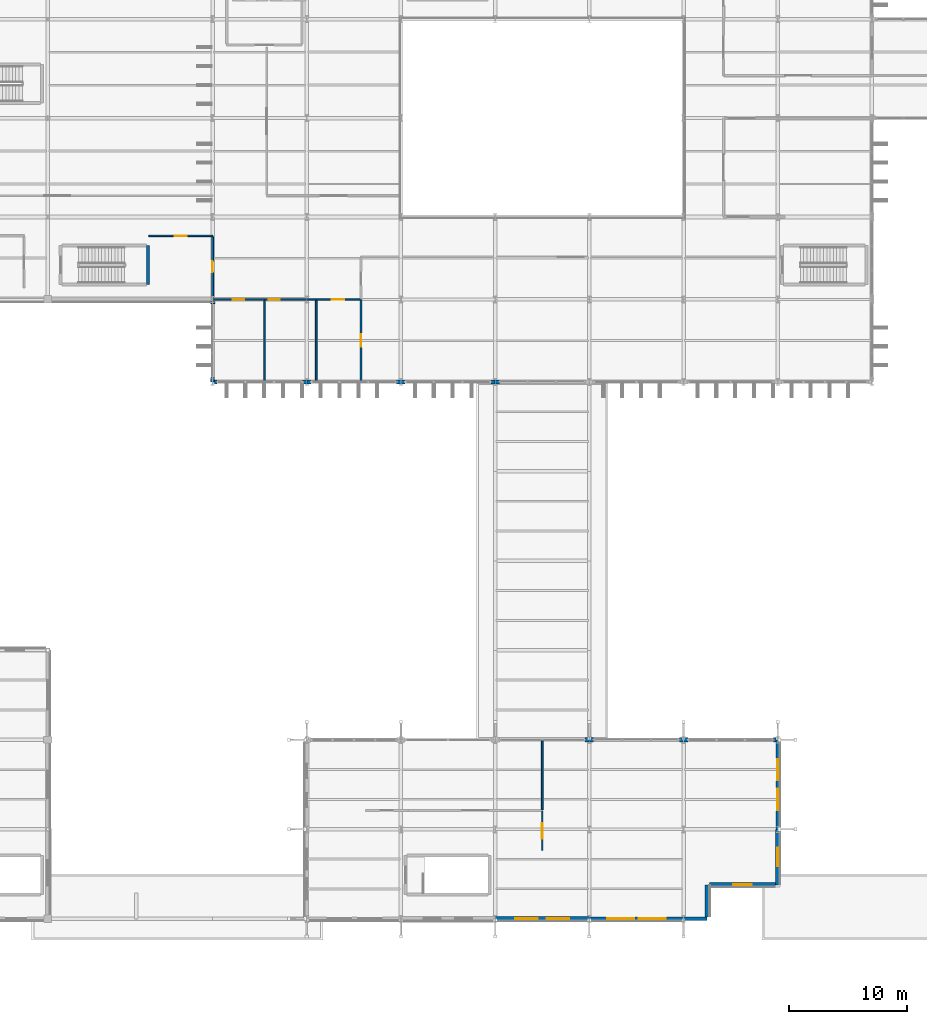
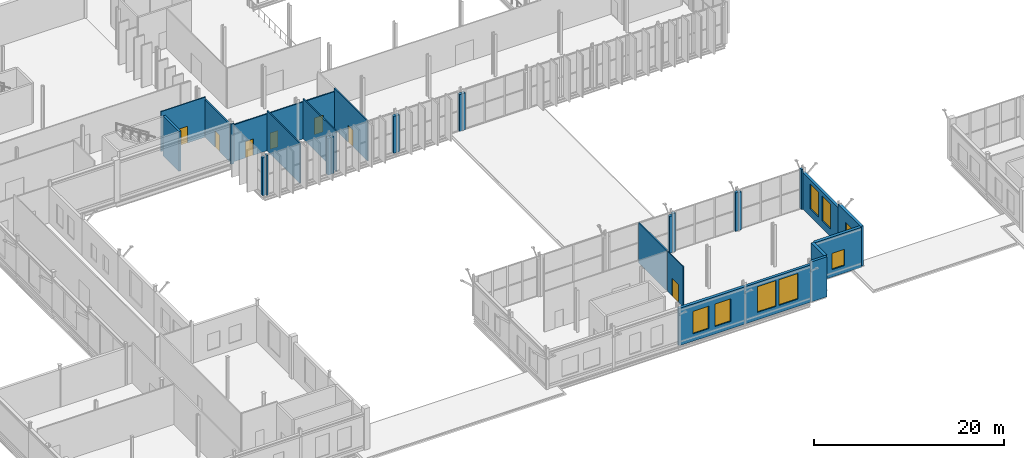
# One storey, part 118 of 147: 32 walls, 8 windows, 7 doors, 15 openings.
"""IFC4 building model written with IfcOpenShell, lengths in metres."""

from ifc_helpers import new_model, si_unit, direction, frame, frame_2d, origin, place, context, subcontext, project, spatial, rectangle, extrude, material, layer, layer_set, type_object, element, fill, save


model = new_model("IFC4")

# Units and contexts
model_context = context("Model", 3, precision=1e-05, world=origin(), true_north=direction((0.0, 1.0)))
body_context = subcontext(model_context, "Body", "Model", "MODEL_VIEW")
ifc_project = project(units=[si_unit("LENGTHUNIT", "METRE"), si_unit("AREAUNIT", "SQUARE_METRE"), si_unit("VOLUMEUNIT", "CUBIC_METRE"), si_unit("PLANEANGLEUNIT", "RADIAN"), si_unit("MASSUNIT", "GRAM", prefix="KILO")], contexts=[model_context])

# Site, building, storey
site_placement = place(None, origin())
site = spatial("IfcSite", under=ifc_project, at=site_placement, CompositionType="ELEMENT")
building_placement = place(site_placement, origin())
building = spatial("IfcBuilding", under=site, at=building_placement, Name="Vekula Escarpment Museum", CompositionType="ELEMENT")
storey_placement = place(building_placement, frame((0.0, 0.0, 7.800048828125)))
storey = spatial("IfcBuildingStorey", under=building, at=storey_placement, Name="L02", CompositionType="ELEMENT", Elevation=7.800048828125)

# Wall
ifc_material_1 = material(Name="Inkisi arkosic sandstone masonry", Category="masonry")
ifc_layer_1 = layer(ifc_material_1, 0.300048828125)
ifc_layer_set_1 = layer_set([ifc_layer_1], Name="Inkisi arkosic sandstone masonry")
wall_type_1 = type_object("IfcWallType", Name="WL-ALM-300", PredefinedType="SOLIDWALL", material=ifc_layer_set_1)
wall_1_placement = place(storey_placement, frame((112.0, 0.0, 0.0), z_axis=(0.0, 0.0, 1.0), x_axis=(-1.0, 0.0, 0.0)))
element("IfcWall", 1, at=wall_1_placement, inside=storey, type_object=wall_type_1, Name="Exterior Wall WL-EXT-L02-0551", PredefinedType="SOLIDWALL", context=body_context, shape_type="SweptSolid", body=[
    extrude(rectangle(XDim=2.0, YDim=0.300048828125, at=frame_2d((1.0, 0.0))), origin(), (0.0, 0.0, 1.0), 5.14990234375),
])

# Wall, openings, windows
ifc_material_2 = material(Name="Inkisi arkosic sandstone masonry", Category="masonry")
ifc_layer_2 = layer(ifc_material_2, 0.320068359375)
ifc_layer_set_2 = layer_set([ifc_layer_2], Name="Inkisi arkosic sandstone masonry")
wall_type_2 = type_object("IfcWallType", Name="WL-ALM-320", PredefinedType="SOLIDWALL", material=ifc_layer_set_2)
wall_2_placement = place(storey_placement, frame((118.0, 15.199951171875, 0.0), z_axis=(0.0, 0.0, 1.0), x_axis=(0.0, -1.0, 0.0)))
wall_2 = element("IfcWall", 2, at=wall_2_placement, inside=storey, type_object=wall_type_2, Name="Exterior Wall WL-EXT-L02-0534", PredefinedType="SOLIDWALL", context=body_context, shape_type="SweptSolid", body=[
    extrude(rectangle(XDim=7.599853515625, YDim=0.320068359375, at=frame_2d((3.7998046875, 0.0))), origin(), (0.0, 0.0, 1.0), 4.68505859375),
])
opening_1_placement = place(wall_2_placement, frame((1.63330078125, 0.0, 0.949951171875)))
opening_1 = element("IfcOpeningElement", 3, at=opening_1_placement, cuts=wall_2, Name="Opening WN-02", PredefinedType="OPENING", context=body_context, shape_type="SweptSolid", body=[
    extrude(rectangle(XDim=1.800048828125, YDim=3.199951171875, at=frame_2d((0.89990234375, 1.60009765625))), frame((0.0, 0.169921875, 0.0), z_axis=(0.0, -1.0, 0.0), x_axis=(1.0, 0.0, 0.0)), (0.0, 0.0, 1.0), 0.340087890625),
])
opening_2_placement = place(wall_2_placement, frame((4.166748046875, 0.0, 0.949951171875)))
opening_2 = element("IfcOpeningElement", 4, at=opening_2_placement, cuts=wall_2, Name="Opening WN-02", PredefinedType="OPENING", context=body_context, shape_type="SweptSolid", body=[
    extrude(rectangle(XDim=1.800048828125, YDim=3.199951171875, at=frame_2d((0.89990234375, 1.60009765625))), frame((0.0, 0.169921875, 0.0), z_axis=(0.0, -1.0, 0.0), x_axis=(1.0, 0.0, 0.0)), (0.0, 0.0, 1.0), 0.340087890625),
])
ifc_material_3 = material(Name="Double solar-control low-E glass", Category="glass")
window_type_1 = type_object("IfcWindowType", Name="WN-PLINTH-18x32", PartitioningType="DOUBLE_PANEL_VERTICAL", PredefinedType="WINDOW", material=ifc_material_3)
window_1_placement = place(opening_1_placement, origin())
window_1 = element("IfcWindow", 5, at=window_1_placement, inside=storey, type_object=window_type_1, Name="Window L02-0242", OverallHeight=3.199951171875, OverallWidth=1.800048828125, PartitioningType="SINGLE_PANEL", PredefinedType="WINDOW", context=body_context, shape_type="SweptSolid", body=[
    extrude(rectangle(XDim=1.800048828125, YDim=3.199951171875, at=frame_2d((0.89990234375, 1.60009765625))), frame((0.0, 0.030029296875, 0.0), z_axis=(0.0, -1.0, 0.0), x_axis=(1.0, 0.0, 0.0)), (0.0, 0.0, 1.0), 0.06005859375),
])
fill(opening_1, window_1)
window_2_placement = place(opening_2_placement, origin())
window_2 = element("IfcWindow", 6, at=window_2_placement, inside=storey, type_object=window_type_1, Name="Window L02-0243", OverallHeight=3.199951171875, OverallWidth=1.800048828125, PartitioningType="SINGLE_PANEL", PredefinedType="WINDOW", context=body_context, shape_type="SweptSolid", body=[
    extrude(rectangle(XDim=1.800048828125, YDim=3.199951171875, at=frame_2d((0.89990234375, 1.60009765625))), frame((0.0, 0.030029296875, 0.0), z_axis=(0.0, -1.0, 0.0), x_axis=(1.0, 0.0, 0.0)), (0.0, 0.0, 1.0), 0.06005859375),
])
fill(opening_2, window_2)

wall_3_placement = place(storey_placement, frame((110.0, 0.0, 0.0), z_axis=(0.0, 0.0, 1.0), x_axis=(-1.0, 0.0, 0.0)))
wall_3 = element("IfcWall", 7, at=wall_3_placement, inside=storey, type_object=wall_type_2, Name="Exterior Wall WL-EXT-L02-0550", PredefinedType="SOLIDWALL", context=body_context, shape_type="SweptSolid", body=[
    extrude(rectangle(XDim=8.0, YDim=0.320068359375, at=frame_2d((4.0, 0.0))), origin(), (0.0, 0.0, 1.0), 4.794921875),
])
opening_3_placement = place(wall_3_placement, frame((1.5166015625, 0.0, 0.949951171875)))
opening_3 = element("IfcOpeningElement", 8, at=opening_3_placement, cuts=wall_3, Name="Opening WN-22", PredefinedType="OPENING", context=body_context, shape_type="SweptSolid", body=[
    extrude(rectangle(XDim=2.300048828125, YDim=3.300048828125, at=frame_2d((1.14990234375, 1.64990234375))), frame((0.0, 0.169921875, 0.0), z_axis=(0.0, -1.0, 0.0), x_axis=(1.0, 0.0, 0.0)), (0.0, 0.0, 1.0), 0.340087890625),
])
opening_4_placement = place(wall_3_placement, frame((4.183349609375, 0.0, 0.949951171875)))
opening_4 = element("IfcOpeningElement", 9, at=opening_4_placement, cuts=wall_3, Name="Opening WN-22", PredefinedType="OPENING", context=body_context, shape_type="SweptSolid", body=[
    extrude(rectangle(XDim=2.300048828125, YDim=3.300048828125, at=frame_2d((1.14990234375, 1.64990234375))), frame((0.0, 0.169921875, 0.0), z_axis=(0.0, -1.0, 0.0), x_axis=(1.0, 0.0, 0.0)), (0.0, 0.0, 1.0), 0.340087890625),
])
ifc_material_4 = material(Name="Double solar-control low-E glass", Category="glass")
window_type_2 = type_object("IfcWindowType", Name="WN-GAL-23x33", PartitioningType="TRIPLE_PANEL_VERTICAL", PredefinedType="WINDOW", material=ifc_material_4)
window_3_placement = place(opening_3_placement, origin())
window_3 = element("IfcWindow", 10, at=window_3_placement, inside=storey, type_object=window_type_2, Name="Window L02-0254", OverallHeight=3.300048828125, OverallWidth=2.300048828125, PartitioningType="SINGLE_PANEL", PredefinedType="WINDOW", context=body_context, shape_type="SweptSolid", body=[
    extrude(rectangle(XDim=2.300048828125, YDim=3.300048828125, at=frame_2d((1.14990234375, 1.64990234375))), frame((0.0, 0.030029296875, 0.0), z_axis=(0.0, -1.0, 0.0), x_axis=(1.0, 0.0, 0.0)), (0.0, 0.0, 1.0), 0.06005859375),
])
fill(opening_3, window_3)
window_4_placement = place(opening_4_placement, origin())
window_4 = element("IfcWindow", 11, at=window_4_placement, inside=storey, type_object=window_type_2, Name="Window L02-0255", OverallHeight=3.300048828125, OverallWidth=2.300048828125, PartitioningType="SINGLE_PANEL", PredefinedType="WINDOW", context=body_context, shape_type="SweptSolid", body=[
    extrude(rectangle(XDim=2.300048828125, YDim=3.300048828125, at=frame_2d((1.14990234375, 1.64990234375))), frame((0.0, 0.030029296875, 0.0), z_axis=(0.0, -1.0, 0.0), x_axis=(1.0, 0.0, 0.0)), (0.0, 0.0, 1.0), 0.06005859375),
])
fill(opening_4, window_4)

# Walls
ifc_material_5 = material(Name="Inkisi arkosic sandstone masonry", Category="masonry")
ifc_layer_3 = layer(ifc_material_5, 0.35009765625)
ifc_layer_set_3 = layer_set([ifc_layer_3], Name="Inkisi arkosic sandstone masonry")
wall_type_3 = type_object("IfcWallType", Name="WL-ALM-350", PredefinedType="SOLIDWALL", material=ifc_layer_set_3)
wall_4_placement = place(storey_placement, frame((70.0, 52.39599609375, 0.0), z_axis=(0.0, 0.0, 1.0), x_axis=(0.0, -1.0, 0.0)))
element("IfcWall", 12, at=wall_4_placement, inside=storey, type_object=wall_type_3, Name="Facade Jamb Pier L02-0330A", PredefinedType="SOLIDWALL", context=body_context, shape_type="SweptSolid", body=[
    extrude(rectangle(XDim=0.156005859375, YDim=0.35009765625, at=frame_2d((0.078125, 0.0))), origin(), (0.0, 0.0, 1.0), 5.14990234375),
])
wall_5_placement = place(storey_placement, frame((70.0, 45.9599609375, 0.0), z_axis=(0.0, 0.0, 1.0), x_axis=(0.0, -1.0, 0.0)))
element("IfcWall", 13, at=wall_5_placement, inside=storey, type_object=wall_type_3, Name="Facade Jamb Pier L02-0331B", PredefinedType="SOLIDWALL", context=body_context, shape_type="SweptSolid", body=[
    extrude(rectangle(XDim=0.35986328125, YDim=0.35009765625, at=frame_2d((0.179931640625, 0.0))), origin(), (0.0, 0.0, 1.0), 4.844970703125),
])
wall_6_placement = place(storey_placement, frame((70.178955078125, 45.60009765625, 0.0), z_axis=(0.0, 0.0, 1.0), x_axis=(1.0, 0.0, 0.0)))
element("IfcWall", 14, at=wall_6_placement, inside=storey, type_object=wall_type_3, Name="Facade Jamb Pier L02-0332A", PredefinedType="SOLIDWALL", context=body_context, shape_type="SweptSolid", body=[
    extrude(rectangle(XDim=0.18115234375, YDim=0.35009765625, at=frame_2d((0.090576171875, 0.0))), origin(), (0.0, 0.0, 1.0), 5.14990234375),
])
for number, where, z_axis, x_axis, name in (
    (15, (77.639892578125, 45.60009765625, 0.0), (0.0, 0.0, 1.0), (1.0, 0.0, 0.0), "Facade Jamb Pier L02-0333B"),
    (16, (78.0, 45.60009765625, 0.0), (0.0, 0.0, 1.0), (1.0, 0.0, 0.0), "Facade Jamb Pier L02-0334A"),
    (17, (85.639892578125, 45.60009765625, 0.0), (0.0, 0.0, 1.0), (1.0, 0.0, 0.0), "Facade Jamb Pier L02-0335B"),
    (18, (86.0, 45.60009765625, 0.0), (0.0, 0.0, 1.0), (1.0, 0.0, 0.0), "Facade Jamb Pier L02-0336A"),
    (19, (93.639892578125, 45.60009765625, 0.0), (0.0, 0.0, 1.0), (1.0, 0.0, 0.0), "Facade Jamb Pier L02-0337B"),
    (20, (94.0, 45.60009765625, 0.0), (0.0, 0.0, 1.0), (1.0, 0.0, 0.0), "Facade Jamb Pier L02-0338A"),
):
    element("IfcWall", number, at=place(storey_placement, frame(where, z_axis=z_axis, x_axis=x_axis)), inside=storey, type_object=wall_type_3, Name=name, PredefinedType="SOLIDWALL", context=body_context, shape_type="SweptSolid", body=[
        extrude(rectangle(XDim=0.360107421875, YDim=0.35009765625, at=frame_2d((0.18017578125, 0.0))), origin(), (0.0, 0.0, 1.0), 4.744873046875),
    ])

# Wall, opening, window
wall_7_placement = place(storey_placement, frame((118.0, 7.60009765625, 0.0), z_axis=(0.0, 0.0, 1.0), x_axis=(0.0, -1.0, 0.0)))
wall_7 = element("IfcWall", 21, at=wall_7_placement, inside=storey, type_object=wall_type_3, Name="Exterior Wall WL-EXT-L02-0533", PredefinedType="SOLIDWALL", context=body_context, shape_type="SweptSolid", body=[
    extrude(rectangle(XDim=4.712158203125, YDim=0.35009765625, at=frame_2d((2.35595703125, 0.0))), origin(), (0.0, 0.0, 1.0), 5.14990234375),
])
opening_5_placement = place(wall_7_placement, frame((1.555908203125, 0.0, 0.949951171875)))
opening_5 = element("IfcOpeningElement", 22, at=opening_5_placement, cuts=wall_7, Name="Opening WN-01", PredefinedType="OPENING", context=body_context, shape_type="SweptSolid", body=[
    extrude(rectangle(XDim=1.60009765625, YDim=2.800048828125, at=frame_2d((0.800048828125, 1.39990234375))), frame((0.0, 0.18505859375, 0.0), z_axis=(0.0, -1.0, 0.0), x_axis=(1.0, 0.0, 0.0)), (0.0, 0.0, 1.0), 0.3701171875),
])
ifc_material_6 = material(Name="Double solar-control low-E glass", Category="glass")
window_type_3 = type_object("IfcWindowType", Name="WN-PLINTH-16x28", PartitioningType="SINGLE_PANEL", PredefinedType="WINDOW", material=ifc_material_6)
window_5_placement = place(opening_5_placement, origin())
window_5 = element("IfcWindow", 23, at=window_5_placement, inside=storey, type_object=window_type_3, Name="Window L02-0241", OverallHeight=2.800048828125, OverallWidth=1.60009765625, PartitioningType="SINGLE_PANEL", PredefinedType="WINDOW", context=body_context, shape_type="SweptSolid", body=[
    extrude(rectangle(XDim=1.60009765625, YDim=2.800048828125, at=frame_2d((0.800048828125, 1.39990234375))), frame((0.0, 0.030029296875, 0.0), z_axis=(0.0, -1.0, 0.0), x_axis=(1.0, 0.0, 0.0)), (0.0, 0.0, 1.0), 0.06005859375),
])
fill(opening_5, window_5)

# Walls
wall_8_placement = place(storey_placement, frame((117.8359375, 15.199951171875, 0.0), z_axis=(0.0, 0.0, 1.0), x_axis=(-1.0, 0.0, 0.0)))
element("IfcWall", 24, at=wall_8_placement, inside=storey, type_object=wall_type_3, Name="Facade Jamb Pier L02-0535A", PredefinedType="SOLIDWALL", context=body_context, shape_type="SweptSolid", body=[
    extrude(rectangle(XDim=0.196044921875, YDim=0.35009765625, at=frame_2d((0.09814453125, 0.0))), origin(), (0.0, 0.0, 1.0), 5.14990234375),
])
wall_9_placement = place(storey_placement, frame((110.360107421875, 15.199951171875, 0.0), z_axis=(0.0, 0.0, 1.0), x_axis=(-1.0, 0.0, 0.0)))
element("IfcWall", 25, at=wall_9_placement, inside=storey, type_object=wall_type_3, Name="Facade Jamb Pier L02-0536B", PredefinedType="SOLIDWALL", context=body_context, shape_type="SweptSolid", body=[
    extrude(rectangle(XDim=0.360107421875, YDim=0.35009765625, at=frame_2d((0.18017578125, 0.0))), origin(), (0.0, 0.0, 1.0), 4.885009765625),
])
for number, where, z_axis, x_axis, name in (
    (26, (110.0, 15.199951171875, 0.0), (0.0, 0.0, 1.0), (-1.0, 0.0, 0.0), "Facade Jamb Pier L02-0537A"),
    (27, (102.360107421875, 15.199951171875, 0.0), (0.0, 0.0, 1.0), (-1.0, 0.0, 0.0), "Facade Jamb Pier L02-0538B"),
):
    element("IfcWall", number, at=place(storey_placement, frame(where, z_axis=z_axis, x_axis=x_axis)), inside=storey, type_object=wall_type_3, Name=name, PredefinedType="SOLIDWALL", context=body_context, shape_type="SweptSolid", body=[
        extrude(rectangle(XDim=0.360107421875, YDim=0.35009765625, at=frame_2d((0.18017578125, 0.0))), origin(), (0.0, 0.0, 1.0), 4.954833984375),
    ])
wall_10_placement = place(storey_placement, frame((102.0, 15.199951171875, 0.0), z_axis=(0.0, 0.0, 1.0), x_axis=(-1.0, 0.0, 0.0)))
element("IfcWall", 28, at=wall_10_placement, inside=storey, type_object=wall_type_3, Name="Facade Jamb Pier L02-0539A", PredefinedType="SOLIDWALL", context=body_context, shape_type="SweptSolid", body=[
    extrude(rectangle(XDim=0.360107421875, YDim=0.35009765625, at=frame_2d((0.18017578125, 0.0))), origin(), (0.0, 0.0, 1.0), 4.73486328125),
])

# Wall, openings, windows
wall_11_placement = place(storey_placement, frame((102.0, 0.0, 0.0), z_axis=(0.0, 0.0, 1.0), x_axis=(-1.0, 0.0, 0.0)))
wall_11 = element("IfcWall", 29, at=wall_11_placement, inside=storey, type_object=wall_type_3, Name="Exterior Wall WL-EXT-L02-0549", PredefinedType="SOLIDWALL", context=body_context, shape_type="SweptSolid", body=[
    extrude(rectangle(XDim=8.0, YDim=0.35009765625, at=frame_2d((4.0, 0.0))), origin(), (0.0, 0.0, 1.0), 4.794921875),
])
opening_6_placement = place(wall_11_placement, frame((1.716796875, 0.0, 0.949951171875)))
opening_6 = element("IfcOpeningElement", 30, at=opening_6_placement, cuts=wall_11, Name="Opening WN-20", PredefinedType="OPENING", context=body_context, shape_type="SweptSolid", body=[
    extrude(rectangle(XDim=1.89990234375, YDim=2.89990234375, at=frame_2d((0.949951171875, 1.449951171875))), frame((0.0, 0.18505859375, 0.0), z_axis=(0.0, -1.0, 0.0), x_axis=(1.0, 0.0, 0.0)), (0.0, 0.0, 1.0), 0.3701171875),
])
opening_7_placement = place(wall_11_placement, frame((4.38330078125, 0.0, 0.949951171875)))
opening_7 = element("IfcOpeningElement", 31, at=opening_7_placement, cuts=wall_11, Name="Opening WN-20", PredefinedType="OPENING", context=body_context, shape_type="SweptSolid", body=[
    extrude(rectangle(XDim=1.89990234375, YDim=2.89990234375, at=frame_2d((0.949951171875, 1.449951171875))), frame((0.0, 0.18505859375, 0.0), z_axis=(0.0, -1.0, 0.0), x_axis=(1.0, 0.0, 0.0)), (0.0, 0.0, 1.0), 0.3701171875),
])
ifc_material_7 = material(Name="Double solar-control low-E glass", Category="glass")
window_type_4 = type_object("IfcWindowType", Name="WN-GAL-19x29", PartitioningType="DOUBLE_PANEL_VERTICAL", PredefinedType="WINDOW", material=ifc_material_7)
window_6_placement = place(opening_6_placement, origin())
window_6 = element("IfcWindow", 32, at=window_6_placement, inside=storey, type_object=window_type_4, Name="Window L02-0252", OverallHeight=2.89990234375, OverallWidth=1.89990234375, PartitioningType="SINGLE_PANEL", PredefinedType="WINDOW", context=body_context, shape_type="SweptSolid", body=[
    extrude(rectangle(XDim=1.89990234375, YDim=2.89990234375, at=frame_2d((0.949951171875, 1.449951171875))), frame((0.0, 0.030029296875, 0.0), z_axis=(0.0, -1.0, 0.0), x_axis=(1.0, 0.0, 0.0)), (0.0, 0.0, 1.0), 0.06005859375),
])
fill(opening_6, window_6)
window_7_placement = place(opening_7_placement, origin())
window_7 = element("IfcWindow", 33, at=window_7_placement, inside=storey, type_object=window_type_4, Name="Window L02-0253", OverallHeight=2.89990234375, OverallWidth=1.89990234375, PartitioningType="SINGLE_PANEL", PredefinedType="WINDOW", context=body_context, shape_type="SweptSolid", body=[
    extrude(rectangle(XDim=1.89990234375, YDim=2.89990234375, at=frame_2d((0.949951171875, 1.449951171875))), frame((0.0, 0.030029296875, 0.0), z_axis=(0.0, -1.0, 0.0), x_axis=(1.0, 0.0, 0.0)), (0.0, 0.0, 1.0), 0.06005859375),
])
fill(opening_7, window_7)

# Wall, opening, window
wall_12_placement = place(storey_placement, frame((117.821044921875, 2.887939453125, 0.0), z_axis=(0.0, 0.0, 1.0), x_axis=(-1.0, 0.0, 0.0)))
wall_12 = element("IfcWall", 34, at=wall_12_placement, inside=storey, type_object=wall_type_3, Name="Exterior Wall WL-EXT-L02-0553", PredefinedType="SOLIDWALL", context=body_context, shape_type="SweptSolid", body=[
    extrude(rectangle(XDim=5.626953125, YDim=0.35009765625, at=frame_2d((2.8134765625, 0.0))), origin(), (0.0, 0.0, 1.0), 5.14990234375),
])
opening_8_placement = place(wall_12_placement, frame((2.03857421875, 0.0, 0.949951171875)))
opening_8 = element("IfcOpeningElement", 35, at=opening_8_placement, cuts=wall_12, Name="Opening WN-24", PredefinedType="OPENING", context=body_context, shape_type="SweptSolid", body=[
    extrude(rectangle(XDim=1.550048828125, YDim=2.10009765625, at=frame_2d((0.77490234375, 1.050048828125))), frame((0.0, 0.18505859375, 0.0), z_axis=(0.0, -1.0, 0.0), x_axis=(1.0, 0.0, 0.0)), (0.0, 0.0, 1.0), 0.3701171875),
])
ifc_material_8 = material(Name="Double solar-control low-E glass", Category="glass")
window_type_5 = type_object("IfcWindowType", Name="WN-GAL-15x21", PartitioningType="SINGLE_PANEL", PredefinedType="WINDOW", material=ifc_material_8)
window_8_placement = place(opening_8_placement, origin())
window_8 = element("IfcWindow", 36, at=window_8_placement, inside=storey, type_object=window_type_5, Name="Window L02-0256", OverallHeight=2.10009765625, OverallWidth=1.550048828125, PartitioningType="SINGLE_PANEL", PredefinedType="WINDOW", context=body_context, shape_type="SweptSolid", body=[
    extrude(rectangle(XDim=1.550048828125, YDim=2.10009765625, at=frame_2d((0.77490234375, 1.050048828125))), frame((0.0, 0.030029296875, 0.0), z_axis=(0.0, -1.0, 0.0), x_axis=(1.0, 0.0, 0.0)), (0.0, 0.0, 1.0), 0.06005859375),
])
fill(opening_8, window_8)

# Walls
ifc_material_9 = material(Name="Inkisi arkosic sandstone masonry", Category="masonry")
ifc_layer_4 = layer(ifc_material_9, 0.3798828125)
ifc_layer_set_4 = layer_set([ifc_layer_4], Name="Inkisi arkosic sandstone masonry")
wall_type_4 = type_object("IfcWallType", Name="WL-ALM-380", PredefinedType="SOLIDWALL", material=ifc_layer_set_4)
wall_13_placement = place(storey_placement, frame((112.0, 2.887939453125, 0.0), z_axis=(0.0, 0.0, 1.0), x_axis=(0.0, -1.0, 0.0)))
element("IfcWall", 37, at=wall_13_placement, inside=storey, type_object=wall_type_4, Name="Exterior Wall WL-EXT-L02-0552", PredefinedType="SOLIDWALL", context=body_context, shape_type="SweptSolid", body=[
    extrude(rectangle(XDim=2.73388671875, YDim=0.3798828125, at=frame_2d((1.366943359375, 0.0))), origin(), (0.0, 0.0, 1.0), 5.14990234375),
])
ifc_material_10 = material(Name="Concrete C35/45", Category="concrete")
ifc_layer_5 = layer(ifc_material_10, 0.25)
ifc_layer_set_5 = layer_set([ifc_layer_5], Name="Concrete C35/45")
wall_type_5 = type_object("IfcWallType", Name="WL-CORE-250", PredefinedType="SHEAR", material=ifc_layer_set_5)
wall_14_placement = place(storey_placement, frame((64.52490234375, 53.875, 0.0), z_axis=(0.0, 0.0, 1.0), x_axis=(0.0, 1.0, 0.0)))
element("IfcWall", 38, at=wall_14_placement, inside=storey, type_object=wall_type_5, Name="Stair Core Wall ST-01 L02 E", PredefinedType="SHEAR", context=body_context, shape_type="SweptSolid", body=[
    extrude(rectangle(XDim=3.2900390625, YDim=0.25, at=frame_2d((1.64501953125, 0.0))), origin(), (0.0, 0.0, 1.0), 5.14990234375),
])

# Wall, opening, door
ifc_material_11 = material(Name="Lightweight studio partition", Category="gypsum")
ifc_layer_6 = layer(ifc_material_11, 0.1201171875)
ifc_layer_set_6 = layer_set([ifc_layer_6], Name="Lightweight studio partition")
wall_type_6 = type_object("IfcWallType", Name="WL-PART-120", PredefinedType="PARTITIONING", material=ifc_layer_set_6)
wall_15_placement = place(storey_placement, frame((64.60009765625, 58.0, 0.0), z_axis=(0.0, 0.0, 1.0), x_axis=(1.0, 0.0, 0.0)))
wall_15 = element("IfcWall", 39, at=wall_15_placement, inside=storey, type_object=wall_type_6, Name="Interior Partition WL-INT-L02-0018", PredefinedType="PARTITIONING", context=body_context, shape_type="SweptSolid", body=[
    extrude(rectangle(XDim=5.39990234375, YDim=0.1201171875, at=frame_2d((2.699951171875, 0.0))), origin(), (0.0, 0.0, 1.0), 5.14990234375),
])
opening_9_placement = place(wall_15_placement, frame((2.199951171875, 0.0, 0.0)))
opening_9 = element("IfcOpeningElement", 40, at=opening_9_placement, cuts=wall_15, Name="Opening DR-OF10", PredefinedType="OPENING", context=body_context, shape_type="SweptSolid", body=[
    extrude(rectangle(XDim=1.0, YDim=2.14990234375, at=frame_2d((0.5, 1.074951171875))), frame((0.0, 0.070068359375, 0.0), z_axis=(0.0, -1.0, 0.0), x_axis=(1.0, 0.0, 0.0)), (0.0, 0.0, 1.0), 0.14013671875),
])
ifc_material_12 = material(Name="Solid core timber study door", Category="wood")
door_type_1 = type_object("IfcDoorType", Name="DR-OFF-1000x2150", OperationType="NOTDEFINED", PredefinedType="DOOR", material=ifc_material_12)
door_1_placement = place(opening_9_placement, origin())
door_1 = element("IfcDoor", 41, at=door_1_placement, inside=storey, type_object=door_type_1, Name="Interior Door L02-016", OperationType="SINGLE_SWING_RIGHT", OverallHeight=2.14990234375, OverallWidth=1.0, PredefinedType="DOOR", context=body_context, shape_type="SweptSolid", body=[
    extrude(rectangle(XDim=1.0, YDim=2.14990234375, at=frame_2d((0.5, 1.074951171875))), frame((0.0, 0.02490234375, 0.0), z_axis=(0.0, -1.0, 0.0), x_axis=(1.0, 0.0, 0.0)), (0.0, 0.0, 1.0), 0.050048828125),
])
fill(opening_9, door_1)

wall_16_placement = place(storey_placement, frame((98.0, 5.800048828125, 0.0), z_axis=(0.0, 0.0, 1.0), x_axis=(0.0, 1.0, 0.0)))
wall_16 = element("IfcWall", 42, at=wall_16_placement, inside=storey, type_object=wall_type_6, Name="Interior Partition WL-INT-L02-0072", PredefinedType="PARTITIONING", context=body_context, shape_type="SweptSolid", body=[
    extrude(rectangle(XDim=3.321044921875, YDim=0.1201171875, at=frame_2d((1.66064453125, 0.0))), origin(), (0.0, 0.0, 1.0), 5.14990234375),
])
opening_10_placement = place(wall_16_placement, frame((1.010498046875, 0.0, 0.0)))
opening_10 = element("IfcOpeningElement", 43, at=opening_10_placement, cuts=wall_16, Name="Opening DR-SM13", PredefinedType="OPENING", context=body_context, shape_type="SweptSolid", body=[
    extrude(rectangle(XDim=1.300048828125, YDim=2.25, at=frame_2d((0.64990234375, 1.125))), frame((0.0, 0.070068359375, 0.0), z_axis=(0.0, -1.0, 0.0), x_axis=(1.0, 0.0, 0.0)), (0.0, 0.0, 1.0), 0.14013671875),
])
ifc_material_13 = material(Name="Acoustic seminar room door", Category="steel")
door_type_2 = type_object("IfcDoorType", Name="DR-SEM-1300x2250", OperationType="NOTDEFINED", PredefinedType="DOOR", material=ifc_material_13)
door_2_placement = place(opening_10_placement, origin())
door_2 = element("IfcDoor", 44, at=door_2_placement, inside=storey, type_object=door_type_2, Name="Interior Door L02-064", OperationType="SINGLE_SWING_RIGHT", OverallHeight=2.25, OverallWidth=1.300048828125, PredefinedType="DOOR", context=body_context, shape_type="SweptSolid", body=[
    extrude(rectangle(XDim=1.300048828125, YDim=2.25, at=frame_2d((0.64990234375, 1.125))), frame((0.0, 0.02490234375, 0.0), z_axis=(0.0, -1.0, 0.0), x_axis=(1.0, 0.0, 0.0)), (0.0, 0.0, 1.0), 0.050048828125),
])
fill(opening_10, door_2)

ifc_material_14 = material(Name="Moisture-resistant wet-room partition", Category="gypsum")
ifc_layer_7 = layer(ifc_material_14, 0.139892578125)
ifc_layer_set_7 = layer_set([ifc_layer_7], Name="Moisture-resistant wet-room partition")
wall_type_7 = type_object("IfcWallType", Name="WL-PART-140", PredefinedType="PARTITIONING", material=ifc_layer_set_7)
wall_17_placement = place(storey_placement, frame((82.60009765625, 45.60009765625, 0.0), z_axis=(0.0, 0.0, 1.0), x_axis=(0.0, 1.0, 0.0)))
wall_17 = element("IfcWall", 45, at=wall_17_placement, inside=storey, type_object=wall_type_7, Name="Interior Partition WL-INT-L02-0039", PredefinedType="PARTITIONING", context=body_context, shape_type="SweptSolid", body=[
    extrude(rectangle(XDim=7.0, YDim=0.139892578125, at=frame_2d((3.5, 0.0))), origin(), (0.0, 0.0, 1.0), 5.14990234375),
])
opening_11_placement = place(wall_17_placement, frame((2.97509765625, 0.0, 0.0)))
opening_11 = element("IfcOpeningElement", 46, at=opening_11_placement, cuts=wall_17, Name="Opening DR-PM10", PredefinedType="OPENING", context=body_context, shape_type="SweptSolid", body=[
    extrude(rectangle(XDim=1.050048828125, YDim=2.14990234375, at=frame_2d((0.52490234375, 1.074951171875))), frame((0.0, 0.079833984375, 0.0), z_axis=(0.0, -1.0, 0.0), x_axis=(1.0, 0.0, 0.0)), (0.0, 0.0, 1.0), 0.159912109375),
])
ifc_material_15 = material(Name="Accessible PMR washroom door", Category="steel")
door_type_3 = type_object("IfcDoorType", Name="DR-PMR-1050x2150", OperationType="NOTDEFINED", PredefinedType="DOOR", material=ifc_material_15)
door_3_placement = place(opening_11_placement, origin())
door_3 = element("IfcDoor", 47, at=door_3_placement, inside=storey, type_object=door_type_3, Name="Interior Door L02-037", OperationType="SINGLE_SWING_LEFT", OverallHeight=2.14990234375, OverallWidth=1.050048828125, PredefinedType="DOOR", context=body_context, shape_type="SweptSolid", body=[
    extrude(rectangle(XDim=1.050048828125, YDim=2.14990234375, at=frame_2d((0.52490234375, 1.074951171875))), frame((0.0, 0.02490234375, 0.0), z_axis=(0.0, -1.0, 0.0), x_axis=(1.0, 0.0, 0.0)), (0.0, 0.0, 1.0), 0.050048828125),
])
fill(opening_11, door_3)

wall_18_placement = place(storey_placement, frame((70.0, 52.60009765625, 0.0), z_axis=(0.0, 0.0, 1.0), x_axis=(1.0, 0.0, 0.0)))
wall_18 = element("IfcWall", 48, at=wall_18_placement, inside=storey, type_object=wall_type_7, Name="Interior Partition WL-INT-L02-0046", PredefinedType="PARTITIONING", context=body_context, shape_type="SweptSolid", body=[
    extrude(rectangle(XDim=4.39990234375, YDim=0.139892578125, at=frame_2d((2.199951171875, 0.0))), origin(), (0.0, 0.0, 1.0), 4.73486328125),
])
opening_12_placement = place(wall_18_placement, frame((1.72509765625, 0.0, 0.0)))
opening_12 = element("IfcOpeningElement", 49, at=opening_12_placement, cuts=wall_18, Name="Opening DR-WC09", PredefinedType="OPENING", context=body_context, shape_type="SweptSolid", body=[
    extrude(rectangle(XDim=0.949951171875, YDim=2.10009765625, at=frame_2d((0.47509765625, 1.050048828125))), frame((0.0, 0.079833984375, 0.0), z_axis=(0.0, -1.0, 0.0), x_axis=(1.0, 0.0, 0.0)), (0.0, 0.0, 1.0), 0.159912109375),
])
ifc_material_16 = material(Name="Laminate washroom door", Category="wood")
door_type_4 = type_object("IfcDoorType", Name="DR-WC-0950x2100", OperationType="NOTDEFINED", PredefinedType="DOOR", material=ifc_material_16)
door_4_placement = place(opening_12_placement, origin())
door_4 = element("IfcDoor", 50, at=door_4_placement, inside=storey, type_object=door_type_4, Name="Interior Door L02-044", OperationType="SINGLE_SWING_RIGHT", OverallHeight=2.10009765625, OverallWidth=0.949951171875, PredefinedType="DOOR", context=body_context, shape_type="SweptSolid", body=[
    extrude(rectangle(XDim=0.949951171875, YDim=2.10009765625, at=frame_2d((0.47509765625, 1.050048828125))), frame((0.0, 0.02490234375, 0.0), z_axis=(0.0, -1.0, 0.0), x_axis=(1.0, 0.0, 0.0)), (0.0, 0.0, 1.0), 0.050048828125),
])
fill(opening_12, door_4)

wall_19_placement = place(storey_placement, frame((74.39990234375, 52.60009765625, 0.0), z_axis=(0.0, 0.0, 1.0), x_axis=(1.0, 0.0, 0.0)))
wall_19 = element("IfcWall", 51, at=wall_19_placement, inside=storey, type_object=wall_type_7, Name="Interior Partition WL-INT-L02-0047", PredefinedType="PARTITIONING", context=body_context, shape_type="SweptSolid", body=[
    extrude(rectangle(XDim=4.400146484375, YDim=0.139892578125, at=frame_2d((2.2001953125, 0.0))), origin(), (0.0, 0.0, 1.0), 4.73486328125),
])
opening_13_placement = place(wall_19_placement, frame((0.35009765625, 0.0, 0.0)))
opening_13 = element("IfcOpeningElement", 52, at=opening_13_placement, cuts=wall_19, Name="Opening DR-WC09", PredefinedType="OPENING", context=body_context, shape_type="SweptSolid", body=[
    extrude(rectangle(XDim=0.949951171875, YDim=2.10009765625, at=frame_2d((0.47509765625, 1.050048828125))), frame((0.0, 0.079833984375, 0.0), z_axis=(0.0, -1.0, 0.0), x_axis=(1.0, 0.0, 0.0)), (0.0, 0.0, 1.0), 0.159912109375),
])
door_5_placement = place(opening_13_placement, origin())
door_5 = element("IfcDoor", 53, at=door_5_placement, inside=storey, type_object=door_type_4, Name="Interior Door L02-045", OperationType="SINGLE_SWING_LEFT", OverallHeight=2.10009765625, OverallWidth=0.949951171875, PredefinedType="DOOR", context=body_context, shape_type="SweptSolid", body=[
    extrude(rectangle(XDim=0.949951171875, YDim=2.10009765625, at=frame_2d((0.47509765625, 1.050048828125))), frame((0.0, 0.02490234375, 0.0), z_axis=(0.0, -1.0, 0.0), x_axis=(1.0, 0.0, 0.0)), (0.0, 0.0, 1.0), 0.050048828125),
])
fill(opening_13, door_5)

wall_20_placement = place(storey_placement, frame((78.800048828125, 52.60009765625, 0.0), z_axis=(0.0, 0.0, 1.0), x_axis=(1.0, 0.0, 0.0)))
wall_20 = element("IfcWall", 54, at=wall_20_placement, inside=storey, type_object=wall_type_7, Name="Interior Partition WL-INT-L02-0048", PredefinedType="PARTITIONING", context=body_context, shape_type="SweptSolid", body=[
    extrude(rectangle(XDim=3.720947265625, YDim=0.139892578125, at=frame_2d((1.8603515625, 0.0))), origin(), (0.0, 0.0, 1.0), 4.73486328125),
])
opening_14_placement = place(wall_20_placement, frame((1.33544921875, 0.0, 0.0)))
opening_14 = element("IfcOpeningElement", 55, at=opening_14_placement, cuts=wall_20, Name="Opening DR-PM10", PredefinedType="OPENING", context=body_context, shape_type="SweptSolid", body=[
    extrude(rectangle(XDim=1.050048828125, YDim=2.14990234375, at=frame_2d((0.52490234375, 1.074951171875))), frame((0.0, 0.079833984375, 0.0), z_axis=(0.0, -1.0, 0.0), x_axis=(1.0, 0.0, 0.0)), (0.0, 0.0, 1.0), 0.159912109375),
])
door_6_placement = place(opening_14_placement, origin())
door_6 = element("IfcDoor", 56, at=door_6_placement, inside=storey, type_object=door_type_3, Name="Interior Door L02-046", OperationType="SINGLE_SWING_RIGHT", OverallHeight=2.14990234375, OverallWidth=1.050048828125, PredefinedType="DOOR", context=body_context, shape_type="SweptSolid", body=[
    extrude(rectangle(XDim=1.050048828125, YDim=2.14990234375, at=frame_2d((0.52490234375, 1.074951171875))), frame((0.0, 0.02490234375, 0.0), z_axis=(0.0, -1.0, 0.0), x_axis=(1.0, 0.0, 0.0)), (0.0, 0.0, 1.0), 0.050048828125),
])
fill(opening_14, door_6)

# Walls
for number, where, z_axis, x_axis, name in (
    (57, (74.39990234375, 45.60009765625, 0.0), (0.0, 0.0, 1.0), (0.0, 1.0, 0.0), "Interior Partition WL-INT-L02-0049"),
    (58, (78.800048828125, 45.60009765625, 0.0), (0.0, 0.0, 1.0), (0.0, 1.0, 0.0), "Interior Partition WL-INT-L02-0050"),
):
    element("IfcWall", number, at=place(storey_placement, frame(where, z_axis=z_axis, x_axis=x_axis)), inside=storey, type_object=wall_type_7, Name=name, PredefinedType="PARTITIONING", context=body_context, shape_type="SweptSolid", body=[
        extrude(rectangle(XDim=6.92578125, YDim=0.139892578125, at=frame_2d((3.462890625, 0.0))), origin(), (0.0, 0.0, 1.0), 5.14990234375),
    ])

# Wall, opening, door
ifc_material_17 = material(Name="Gypsum board gallery partition", Category="gypsum")
ifc_layer_8 = layer(ifc_material_17, 0.159912109375)
ifc_layer_set_8 = layer_set([ifc_layer_8], Name="Gypsum board gallery partition")
wall_type_8 = type_object("IfcWallType", Name="WL-PART-160", PredefinedType="PARTITIONING", material=ifc_layer_set_8)
wall_21_placement = place(storey_placement, frame((70.0, 52.803955078125, 0.0), z_axis=(0.0, 0.0, 1.0), x_axis=(0.0, 1.0, 0.0)))
wall_21 = element("IfcWall", 59, at=wall_21_placement, inside=storey, type_object=wall_type_8, Name="Interior Partition WL-INT-L02-0028", PredefinedType="PARTITIONING", context=body_context, shape_type="SweptSolid", body=[
    extrude(rectangle(XDim=5.132080078125, YDim=0.159912109375, at=frame_2d((2.56591796875, 0.0))), origin(), (0.0, 0.0, 1.0), 4.844970703125),
])
opening_15_placement = place(wall_21_placement, frame((2.091064453125, 0.0, 0.0)))
opening_15 = element("IfcOpeningElement", 60, at=opening_15_placement, cuts=wall_21, Name="Opening DR-OF09", PredefinedType="OPENING", context=body_context, shape_type="SweptSolid", body=[
    extrude(rectangle(XDim=0.949951171875, YDim=2.10009765625, at=frame_2d((0.47509765625, 1.050048828125))), frame((0.0, 0.08984375, 0.0), z_axis=(0.0, -1.0, 0.0), x_axis=(1.0, 0.0, 0.0)), (0.0, 0.0, 1.0), 0.179931640625),
])
ifc_material_18 = material(Name="Solid core timber office door", Category="wood")
door_type_5 = type_object("IfcDoorType", Name="DR-OFF-0950x2100", OperationType="NOTDEFINED", PredefinedType="DOOR", material=ifc_material_18)
door_7_placement = place(opening_15_placement, origin())
door_7 = element("IfcDoor", 61, at=door_7_placement, inside=storey, type_object=door_type_5, Name="Interior Door L02-026", OperationType="SINGLE_SWING_RIGHT", OverallHeight=2.10009765625, OverallWidth=0.949951171875, PredefinedType="DOOR", context=body_context, shape_type="SweptSolid", body=[
    extrude(rectangle(XDim=0.949951171875, YDim=2.10009765625, at=frame_2d((0.47509765625, 1.050048828125))), frame((0.0, 0.02490234375, 0.0), z_axis=(0.0, -1.0, 0.0), x_axis=(1.0, 0.0, 0.0)), (0.0, 0.0, 1.0), 0.050048828125),
])
fill(opening_15, door_7)

# Wall
wall_22_placement = place(storey_placement, frame((98.0, 9.279052734375, 0.0), z_axis=(0.0, 0.0, 1.0), x_axis=(0.0, 1.0, 0.0)))
element("IfcWall", 62, at=wall_22_placement, inside=storey, type_object=wall_type_8, Name="Interior Partition WL-INT-L02-0073", PredefinedType="PARTITIONING", context=body_context, shape_type="SweptSolid", body=[
    extrude(rectangle(XDim=5.9208984375, YDim=0.159912109375, at=frame_2d((2.96044921875, 0.0))), origin(), (0.0, 0.0, 1.0), 5.14990234375),
])

save(model, "model.ifc")
